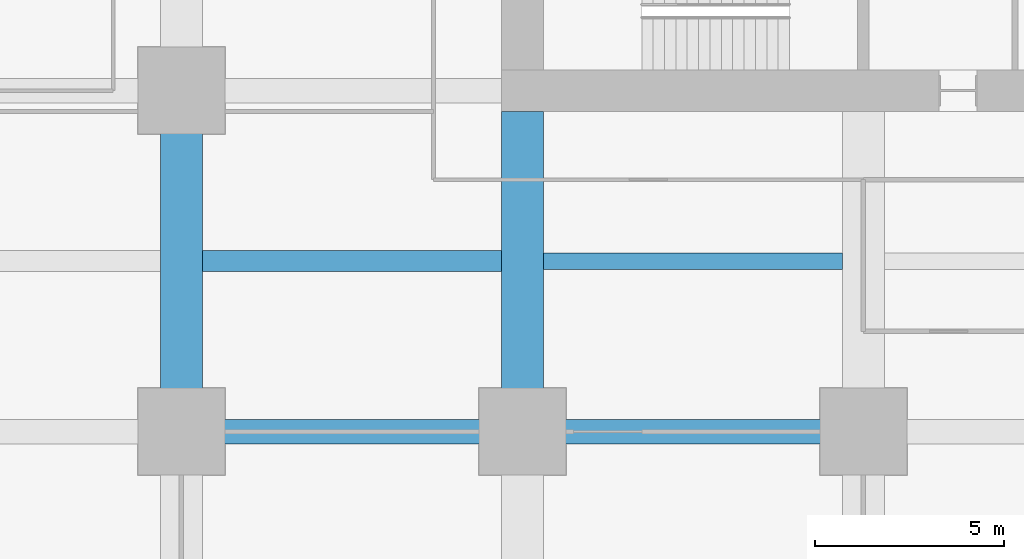
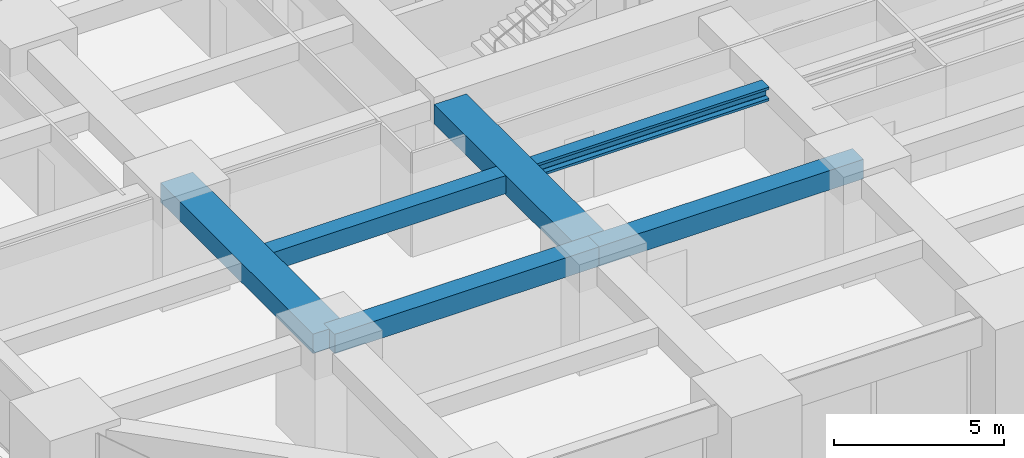
# One storey, part 6 of 38: 6 beams.
"""IFC4 building model written with IfcOpenShell, lengths in metres."""

import ifcopenshell
import ifcopenshell.guid

model = None  # the IFC model being written
_history = None  # IfcOwnerHistory: only IFC2X3 demands one
_inside = {}  # id of a spatial element -> (the spatial element, [elements in it])
_under = {}  # id of a project, library or spatial element -> (it, [spatial elements below it])
_declared = {}  # id of a project -> (the project, [libraries it declares])
_typed = {}  # id of a type object -> (the type object, [elements of that type])
_made_of = {}  # id of a material, layer set ... -> (it, [elements and type objects made of it])


def new_model(schema):
    """Start an empty IFC model of exactly this schema.

    Asked for "IFC4X3", IfcOpenShell would pick the latest addendum, in which some entities
    have other attributes; the version numbers below select the first issue.
    IFC2X3 requires an IfcOwnerHistory on every rooted entity: one is made here for all.
    """
    global model, _history
    if schema == "IFC4X3":
        model = ifcopenshell.file(schema_version=(4, 3, 0, 0))
    else:
        model = ifcopenshell.file(schema=schema)
    _inside.clear()
    _under.clear()
    _declared.clear()
    _typed.clear()
    _made_of.clear()
    _history = None
    if model.schema == "IFC2X3":
        org = make("IfcOrganization", Name="unknown")
        user = make(
            "IfcPersonAndOrganization",
            ThePerson=make("IfcPerson", FamilyName="unknown"),
            TheOrganization=org,
        )
        app = make(
            "IfcApplication",
            ApplicationDeveloper=org,
            Version="unknown",
            ApplicationFullName="unknown",
            ApplicationIdentifier="unknown",
        )
        _history = make(
            "IfcOwnerHistory",
            OwningUser=user,
            OwningApplication=app,
            ChangeAction="ADDED",
            CreationDate=0,
        )
    return model


def make(cls, **values):
    """One entity of the class cls with the attributes given. An attribute that is None is left unset."""
    return model.create_entity(
        cls, **{name: value for name, value in values.items() if value is not None}
    )


def rooted(cls, **values):
    """An entity with a GlobalId (a new one), such as an element, a storey or a relation."""
    return make(cls, GlobalId=ifcopenshell.guid.new(), OwnerHistory=_history, **values)


def si_unit(unit_type, name, prefix=None):
    """IfcSIUnit, for example si_unit("LENGTHUNIT", "METRE", prefix="MILLI")."""
    return make("IfcSIUnit", UnitType=unit_type, Prefix=prefix, Name=name)


def assignment(units):
    """IfcUnitAssignment: the units of a project."""
    return None if units is None else make("IfcUnitAssignment", Units=units)


def point(xyz):
    """IfcCartesianPoint."""
    return None if xyz is None else make("IfcCartesianPoint", Coordinates=xyz)


def direction(xyz):
    """IfcDirection."""
    return None if xyz is None else make("IfcDirection", DirectionRatios=xyz)


def frame(location, z_axis=None, x_axis=None):
    """IfcAxis2Placement3D, a coordinate frame: its origin and axes. An axis left out is left unset."""
    return make(
        "IfcAxis2Placement3D",
        Location=point(location),
        Axis=direction(z_axis),
        RefDirection=direction(x_axis),
    )


def frame_2d(location, x_axis=None):
    """IfcAxis2Placement2D, a coordinate frame in the plane: its origin and x axis."""
    return make(
        "IfcAxis2Placement2D", Location=point(location), RefDirection=direction(x_axis)
    )


def origin():
    """The frame at (0, 0, 0) with its axes left unset."""
    return frame((0.0, 0.0, 0.0))


def origin_2d():
    """The frame at (0, 0) in the plane with its x axis left unset."""
    return frame_2d((0.0, 0.0))


def place(relative_to, where):
    """IfcLocalPlacement: puts the frame where relative to a parent placement (None: the world)."""
    return make(
        "IfcLocalPlacement", PlacementRelTo=relative_to, RelativePlacement=where
    )


def context(
    kind, dimensions, precision=None, world=None, true_north=None, identifier=None
):
    """IfcGeometricRepresentationContext, for example the 3D "Model" context."""
    return make(
        "IfcGeometricRepresentationContext",
        ContextIdentifier=identifier,
        ContextType=kind,
        CoordinateSpaceDimension=dimensions,
        Precision=precision,
        WorldCoordinateSystem=world,
        TrueNorth=true_north,
    )


def subcontext(parent, identifier, kind, view, scale=None):
    """IfcGeometricRepresentationSubContext, for example "Body" below "Model"."""
    return make(
        "IfcGeometricRepresentationSubContext",
        ContextIdentifier=identifier,
        ContextType=kind,
        ParentContext=parent,
        TargetScale=scale,
        TargetView=view,
    )


def project(units=None, contexts=None):
    """IfcProject with its units and contexts."""
    return rooted(
        "IfcProject",
        Name="project",
        RepresentationContexts=contexts,
        UnitsInContext=assignment(units),
    )


def spatial(cls, under=None, at=None, **own):
    """A site, building, storey or space (cls), placed at a placement, below another one or the project."""
    s = rooted(cls, ObjectPlacement=at, **own)
    if under is not None:
        _under.setdefault(under.id(), (under, []))[1].append(s)
    return s


def profile(cls, at=None, kind="AREA", **sizes):
    """A parametric profile (cls). Its sizes go by their IFC names, for example OverallWidth=200.0."""
    return make(cls, ProfileType=kind, Position=at, **sizes)


def rectangle(**sizes):
    """IfcRectangleProfileDef."""
    return profile("IfcRectangleProfileDef", **sizes)


def i_section(**sizes):
    """IfcIShapeProfileDef."""
    return profile("IfcIShapeProfileDef", **sizes)


def extrude(swept, where, along, depth):
    """IfcExtrudedAreaSolid: the profile swept, set in the frame where, extruded along a direction by depth."""
    return make(
        "IfcExtrudedAreaSolid",
        SweptArea=swept,
        Position=where,
        ExtrudedDirection=direction(along),
        Depth=depth,
    )


def shape(context_of_items, identifier, shape_type, items):
    """IfcShapeRepresentation: the items that make up one representation, for example the "Body"."""
    return make(
        "IfcShapeRepresentation",
        ContextOfItems=context_of_items,
        RepresentationIdentifier=identifier,
        RepresentationType=shape_type,
        Items=items,
    )


def material(Name=None, Category=None):
    """IfcMaterial."""
    return make("IfcMaterial", Name=Name, Category=Category)


def material_profile(
    of_material, cross_section, Name=None, Category=None, Priority=None
):
    """IfcMaterialProfile: a cross section and its material."""
    return make(
        "IfcMaterialProfile",
        Name=Name,
        Material=of_material,
        Profile=cross_section,
        Priority=Priority,
        Category=Category,
    )


def profile_set(profiles, Name=None, composite=None):
    """IfcMaterialProfileSet."""
    return make(
        "IfcMaterialProfileSet",
        Name=Name,
        MaterialProfiles=profiles,
        CompositeProfile=composite,
    )


def made_of(thing, what):
    """Note that an element or type object is made of a material, layer set ...; save() writes the relation."""
    if what is not None:
        _made_of.setdefault(what.id(), (what, []))[1].append(thing)
    return thing


def type_object(cls, material=None, **own):
    """A type object (cls), such as IfcWallType, which elements share."""
    return made_of(rooted(cls, **own), material)


def element(
    cls,
    number,
    at=None,
    inside=None,
    cuts=None,
    type_object=None,
    material=None,
    context=None,
    identifier="Body",
    shape_type=None,
    held_by="IfcProductDefinitionShape",
    body=None,
    shapes=None,
    **own,
):
    """One element of the class cls, such as IfcWall. Its Tag is "e" and its number.

    at: its placement. inside: the storey or other place that contains it. cuts: it is an
    opening in that element (IfcRelVoidsElement). A single representation is given by context,
    identifier, shape_type and body (its items); several are given by shapes. held_by: the class
    of the entity that holds the representations. save() writes the other relations.
    """
    e = rooted(cls, Tag="e%d" % number, ObjectPlacement=at, **own)
    if body is not None:
        shapes = [shape(context, identifier, shape_type, body)]
    if shapes is not None:
        e.Representation = make(held_by, Representations=shapes)
    if inside is not None:
        _inside.setdefault(inside.id(), (inside, []))[1].append(e)
    if cuts is not None:
        rooted(
            "IfcRelVoidsElement", RelatingBuildingElement=cuts, RelatedOpeningElement=e
        )
    if type_object is not None:
        _typed.setdefault(type_object.id(), (type_object, []))[1].append(e)
    return made_of(e, material)


def aggregate(whole, parts):
    """IfcRelAggregates: a whole, such as a stair, and the parts it consists of."""
    return rooted("IfcRelAggregates", RelatingObject=whole, RelatedObjects=parts)


def save(model, path):
    """Write the relations noted so far, then the file.

    IfcRelAggregates (storeys below a building ...), IfcRelContainedInSpatialStructure (elements
    in a storey), IfcRelDefinesByType, IfcRelAssociatesMaterial and IfcRelDeclares: one each for
    every whole, place, type object, material and project.
    """
    for whole, parts in _under.values():
        aggregate(whole, parts)
    for where, things in _inside.values():
        rooted(
            "IfcRelContainedInSpatialStructure",
            RelatedElements=things,
            RelatingStructure=where,
        )
    for kind, things in _typed.values():
        rooted("IfcRelDefinesByType", RelatedObjects=things, RelatingType=kind)
    for what, things in _made_of.values():
        rooted("IfcRelAssociatesMaterial", RelatedObjects=things, RelatingMaterial=what)
    for by, libraries in _declared.values():
        rooted("IfcRelDeclares", RelatingContext=by, RelatedDefinitions=libraries)
    model.write(path)


model = new_model("IFC4")

# Units and contexts
model_context = context("Model", 3, precision=1e-05, world=origin(), true_north=direction((0.0, 1.0)))
body_context = subcontext(model_context, "Body", "Model", "MODEL_VIEW")
ifc_project = project(units=[si_unit("LENGTHUNIT", "METRE"), si_unit("AREAUNIT", "SQUARE_METRE"), si_unit("VOLUMEUNIT", "CUBIC_METRE"), si_unit("PLANEANGLEUNIT", "RADIAN"), si_unit("MASSUNIT", "GRAM", prefix="KILO")], contexts=[model_context])

# Site, building, storey
site_placement = place(None, origin())
site = spatial("IfcSite", under=ifc_project, at=site_placement, CompositionType="ELEMENT")
building_placement = place(site_placement, origin())
building = spatial("IfcBuilding", under=site, at=building_placement, Name="Zorevar Civic Tower", CompositionType="ELEMENT")
storey_placement = place(building_placement, frame((0.0, 0.0, 15.800048828125)))
storey = spatial("IfcBuildingStorey", under=building, at=storey_placement, Name="L03", CompositionType="ELEMENT", Elevation=15.800048828125)

# Beams
ifc_material_1 = material(Name="Concrete C50/60", Category="concrete")
ifc_material_profile_1 = material_profile(ifc_material_1, rectangle(XDim=1.10009765625, YDim=0.699951171875, at=origin_2d()), Name="RC 1100x700")
ifc_profile_set_1 = profile_set([ifc_material_profile_1], Name="Concrete C50/60")
beam_type_1 = type_object("IfcBeamType", Name="Beam RC 1100x700", PredefinedType="BEAM", material=ifc_profile_set_1)
beam_1_placement = place(storey_placement, frame((9.0, 9.0, 3.39990234375), z_axis=(0.0, 1.0, 0.0), x_axis=(-1.0, 0.0, 0.0)))
element("IfcBeam", 1, at=beam_1_placement, inside=storey, type_object=beam_type_1, Name="Girder L04", PredefinedType="BEAM", context=body_context, shape_type="SweptSolid", body=[
    extrude(rectangle(XDim=1.10009765625, YDim=0.699951171875, at=origin_2d()), origin(), (0.0, 0.0, 1.0), 9.0),
])
beam_2_placement = place(storey_placement, frame((18.0, 9.0, 3.39990234375), z_axis=(0.0, 1.0, 0.0), x_axis=(-1.0, 0.0, 0.0)))
element("IfcBeam", 2, at=beam_2_placement, inside=storey, type_object=beam_type_1, Name="Girder L04", PredefinedType="BEAM", context=body_context, shape_type="SweptSolid", body=[
    extrude(rectangle(XDim=1.10009765625, YDim=0.699951171875, at=origin_2d()), origin(), (0.0, 0.0, 1.0), 8.449951171875),
])
ifc_material_2 = material(Name="Concrete C50/60", Category="concrete")
ifc_material_profile_2 = material_profile(ifc_material_2, rectangle(XDim=0.550048828125, YDim=0.64990234375, at=origin_2d()), Name="RC 550x650")
ifc_profile_set_2 = profile_set([ifc_material_profile_2], Name="Concrete C50/60")
beam_type_2 = type_object("IfcBeamType", Name="Beam RC 550x650", PredefinedType="BEAM", material=ifc_profile_set_2)
beam_3_placement = place(storey_placement, frame((9.550048828125, 13.5, 3.425048828125), z_axis=(1.0, 0.0, 0.0), x_axis=(0.0, 1.0, 0.0)))
element("IfcBeam", 3, at=beam_3_placement, inside=storey, type_object=beam_type_2, Name="Secondary beam L04", PredefinedType="BEAM", context=body_context, shape_type="SweptSolid", body=[
    extrude(rectangle(XDim=0.550048828125, YDim=0.64990234375, at=origin_2d()), origin(), (0.0, 0.0, 1.0), 7.89990234375),
])
ifc_material_3 = material(Name="Concrete C50/60", Category="concrete")
ifc_material_profile_3 = material_profile(ifc_material_3, rectangle(XDim=0.64990234375, YDim=0.699951171875, at=origin_2d()), Name="RC 650x700")
ifc_profile_set_3 = profile_set([ifc_material_profile_3], Name="Concrete C50/60")
beam_type_3 = type_object("IfcBeamType", Name="Beam RC 650x700", PredefinedType="BEAM", material=ifc_profile_set_3)
for number, where, z_axis, x_axis, name in (
    (4, (9.0, 9.0, 3.39990234375), (1.0, 0.0, 0.0), (0.0, 1.0, 0.0), "Girder L04"),
    (5, (18.0, 9.0, 3.39990234375), (1.0, 0.0, 0.0), (0.0, 1.0, 0.0), "Girder L04"),
):
    element("IfcBeam", number, at=place(storey_placement, frame(where, z_axis=z_axis, x_axis=x_axis)), inside=storey, type_object=beam_type_3, Name=name, PredefinedType="BEAM", context=body_context, shape_type="SweptSolid", body=[
        extrude(rectangle(XDim=0.64990234375, YDim=0.699951171875, at=origin_2d()), origin(), (0.0, 0.0, 1.0), 9.0),
    ])
ifc_material_4 = material(Name="Steel S460M (HISTAR 460)", Category="steel")
ifc_material_profile_4 = material_profile(ifc_material_4, i_section(OverallWidth=0.431884765625, OverallDepth=0.498046875, WebThickness=0.0556640625, FlangeThickness=0.0888671875, FilletRadius=0.014892578125, at=origin_2d()), Name="HD 400x744")
ifc_profile_set_4 = profile_set([ifc_material_profile_4], Name="Steel S460M (HISTAR 460)")
beam_type_4 = type_object("IfcBeamType", Name="Core bay beam HD 400x744", PredefinedType="BEAM", material=ifc_profile_set_4)
beam_4_placement = place(storey_placement, frame((18.550048828125, 13.5, 3.5009765625), z_axis=(1.0, 0.0, 0.0), x_axis=(0.0, 1.0, 0.0)))
element("IfcBeam", 6, at=beam_4_placement, inside=storey, type_object=beam_type_4, Name="Secondary beam L04", PredefinedType="BEAM", context=body_context, shape_type="SweptSolid", body=[
    extrude(i_section(OverallWidth=0.431884765625, OverallDepth=0.498046875, WebThickness=0.0556640625, FlangeThickness=0.0888671875, FilletRadius=0.014892578125, at=origin_2d()), origin(), (0.0, 0.0, 1.0), 7.89990234375),
])

save(model, "model.ifc")
